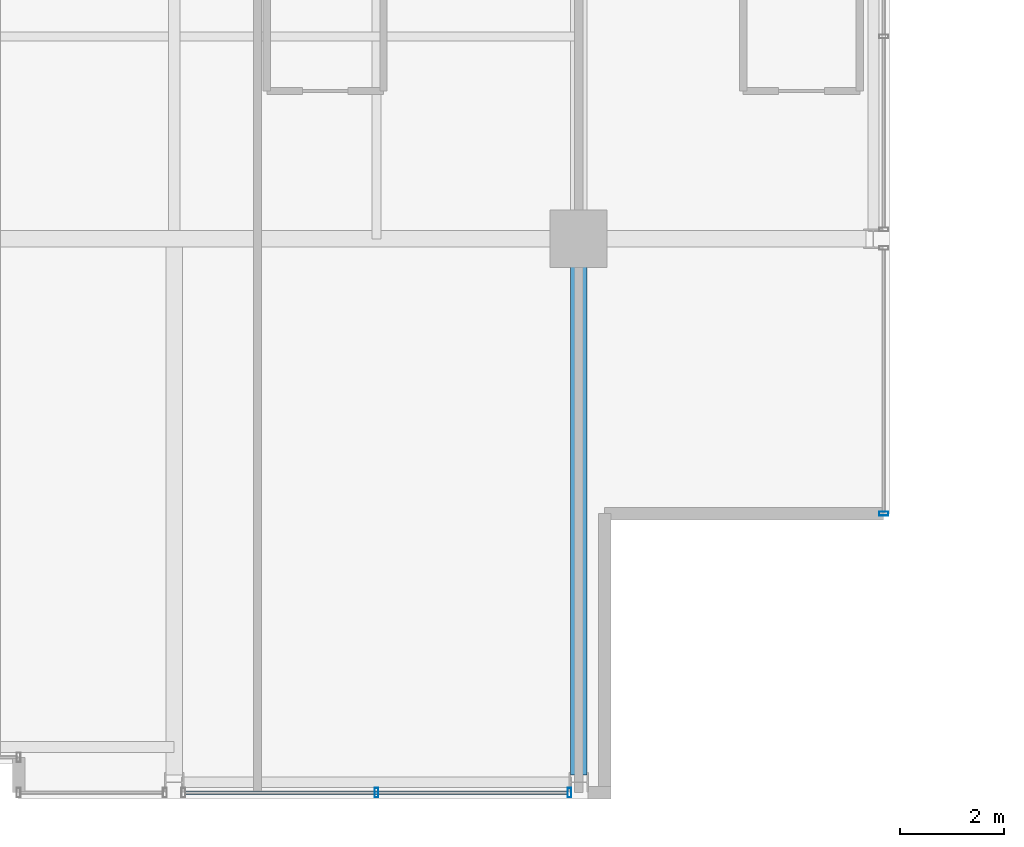
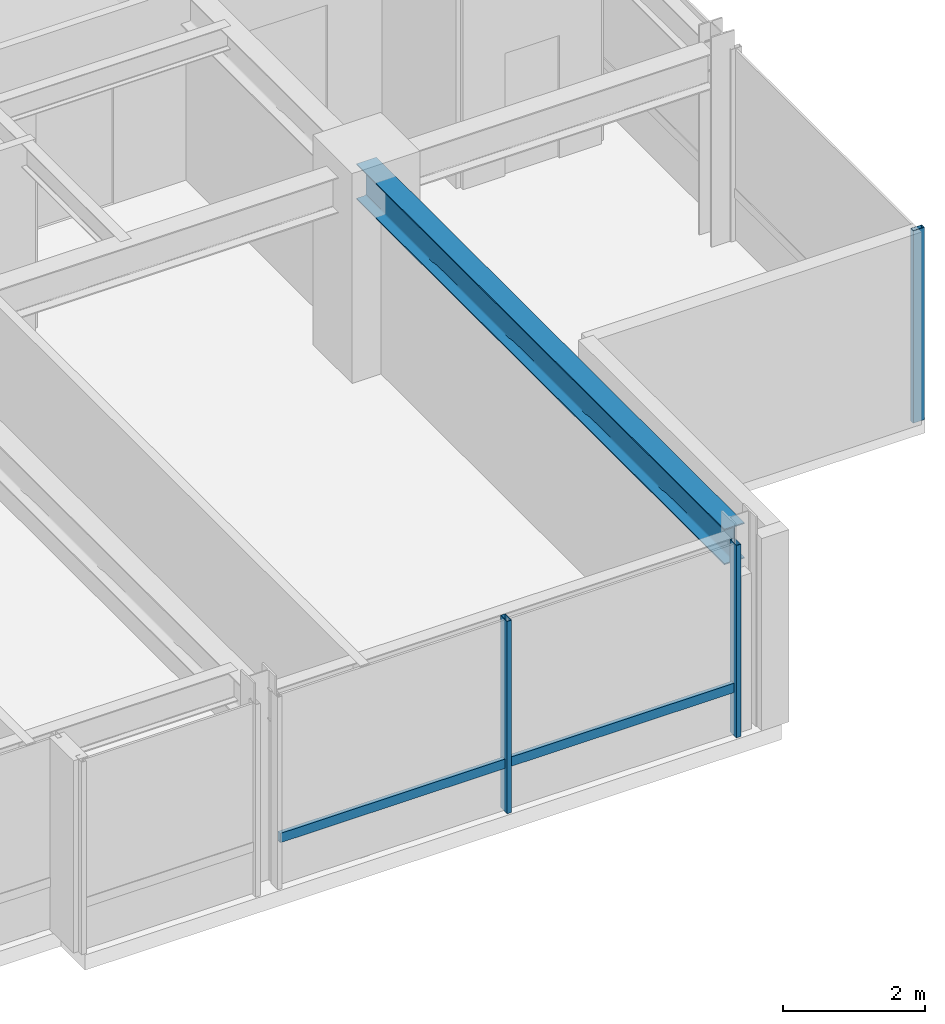
# One storey, part 14 of 34: 4 members, 1 beam, 2 elements without a shape of their own.
"""IFC4 building model written with IfcOpenShell, lengths in metres."""

from ifc_helpers import new_model, si_unit, direction, frame, origin, origin_2d, place, context, subcontext, project, spatial, hollow_rectangle, i_section, extrude, material, layer, layer_set, material_profile, profile_set, type_object, element, aggregate, save


model = new_model("IFC4")

# Units and contexts
model_context = context("Model", 3, precision=1e-05, world=origin(), true_north=direction((0.0, 1.0)))
body_context = subcontext(model_context, "Body", "Model", "MODEL_VIEW")
ifc_project = project(units=[si_unit("LENGTHUNIT", "METRE"), si_unit("AREAUNIT", "SQUARE_METRE"), si_unit("VOLUMEUNIT", "CUBIC_METRE"), si_unit("PLANEANGLEUNIT", "RADIAN"), si_unit("MASSUNIT", "GRAM", prefix="KILO")], contexts=[model_context])

# Site, building, storey
site_placement = place(None, origin())
site = spatial("IfcSite", under=ifc_project, at=site_placement, CompositionType="ELEMENT")
building_placement = place(site_placement, origin())
building = spatial("IfcBuilding", under=site, at=building_placement, Name="Drelvath Grand Hotel", CompositionType="ELEMENT")
storey_placement = place(building_placement, frame((0.0, 0.0, 251.89990234375)))
storey = spatial("IfcBuildingStorey", under=building, at=storey_placement, Name="L66", CompositionType="ELEMENT", Elevation=251.89990234375)

# Curtain wall, member
ifc_material_1 = material(Name="Platinum-Mist Anodised Aluminium Frame", Category="aluminium")
ifc_layer = layer(ifc_material_1, 0.199951171875)
ifc_layer_set = layer_set([ifc_layer], Name="Platinum-Mist Anodised Aluminium Frame")
curtain_wall_type = type_object("IfcCurtainWallType", Name="Stick Curtain Wall CW-05 Platinum Mist High-Rise", PredefinedType="NOTDEFINED", material=ifc_layer_set)
curtain_wall_1_placement = place(storey_placement, origin())
curtain_wall_1 = element("IfcCurtainWall", 1, at=curtain_wall_1_placement, inside=storey, type_object=curtain_wall_type, Name="L66 CW-05 Curtain Wall CW05-L66-SE2", PredefinedType="NOTDEFINED")
ifc_material_profile_1 = material_profile(ifc_material_1, hollow_rectangle(XDim=0.06494140625, YDim=0.159912109375, WallThickness=0.00390625, at=origin_2d()), Name="HSS160X65X4")
ifc_profile_set_1 = profile_set([ifc_material_profile_1], Name="Platinum-Mist Anodised Aluminium Frame")
member_type_1 = type_object("IfcMemberType", Name="Curtain Wall Horizontal Transom CW-05 HSS160X65X4", PredefinedType="USERDEFINED", material=ifc_profile_set_1)
member_1_placement = place(storey_placement, frame((15.981689453125, 0.1201171875, 0.8251953125), z_axis=(-1.0, 0.0, 0.0), x_axis=(0.0, -1.0, 0.0)))
member_1 = element("IfcMember", 2, at=member_1_placement, type_object=member_type_1, Name="CW05-L66-SE2 Sill Transom", ObjectType="TRANSOM", PredefinedType="USERDEFINED", context=body_context, shape_type="SweptSolid", body=[
    extrude(hollow_rectangle(XDim=0.06494140625, YDim=0.159912109375, WallThickness=0.00390625, at=origin_2d()), origin(), (0.0, 0.0, 1.0), 7.363525390625),
])

curtain_wall_2_placement = place(storey_placement, origin())
curtain_wall_2 = element("IfcCurtainWall", 3, at=curtain_wall_2_placement, inside=storey, type_object=curtain_wall_type, Name="L66 CW-05 Curtain Wall CW05-L66-ES1", PredefinedType="NOTDEFINED")
ifc_material_profile_2 = material_profile(ifc_material_1, hollow_rectangle(XDim=0.074951171875, YDim=0.179931640625, WallThickness=0.0048828125, at=origin_2d()), Name="HSS180X75X5")
ifc_profile_set_2 = profile_set([ifc_material_profile_2], Name="Platinum-Mist Anodised Aluminium Frame")
member_type_2 = type_object("IfcMemberType", Name="Curtain Wall Vertical Mullion CW-05 HSS180X75X5", PredefinedType="MULLION", material=ifc_profile_set_2)
member_2_placement = place(storey_placement, frame((22.080078125, 5.5, 0.0), z_axis=(0.0, 0.0, 1.0), x_axis=(0.0, 1.0, 0.0)))
member_2 = element("IfcMember", 4, at=member_2_placement, type_object=member_type_2, Name="CW05-L66-ES1 Mullion 2", PredefinedType="MULLION", context=body_context, shape_type="SweptSolid", body=[
    extrude(hollow_rectangle(XDim=0.074951171875, YDim=0.179931640625, WallThickness=0.0048828125, at=origin_2d()), origin(), (0.0, 0.0, 1.0), 3.300048828125),
])
aggregate(curtain_wall_2, [member_2])

# Member
member_3_placement = place(storey_placement, frame((16.021728515625, 0.1201171875, 0.0), z_axis=(0.0, 0.0, 1.0), x_axis=(1.0, 0.0, 0.0)))
member_3 = element("IfcMember", 5, at=member_3_placement, type_object=member_type_2, Name="CW05-L66-SE2 Mullion 1", PredefinedType="MULLION", context=body_context, shape_type="SweptSolid", body=[
    extrude(hollow_rectangle(XDim=0.074951171875, YDim=0.179931640625, WallThickness=0.0048828125, at=origin_2d()), origin(), (0.0, 0.0, 1.0), 3.300048828125),
])

member_4_placement = place(storey_placement, frame((12.300048828125, 0.1201171875, 0.0), z_axis=(0.0, 0.0, 1.0), x_axis=(1.0, 0.0, 0.0)))
member_4 = element("IfcMember", 6, at=member_4_placement, type_object=member_type_2, Name="CW05-L66-SE2 Mullion 2", PredefinedType="MULLION", context=body_context, shape_type="SweptSolid", body=[
    extrude(hollow_rectangle(XDim=0.074951171875, YDim=0.179931640625, WallThickness=0.0048828125, at=origin_2d()), origin(), (0.0, 0.0, 1.0), 3.300048828125),
])

aggregate(curtain_wall_1, [member_3, member_4, member_1])

# Beam
ifc_material_2 = material(Name="Steel ASTM A992 Gr 50", Category="steel")
ifc_material_profile_3 = material_profile(ifc_material_2, i_section(OverallWidth=0.323974609375, OverallDepth=0.611083984375, WebThickness=0.0126953125, FlangeThickness=0.01904296875, FilletRadius=0.02197265625, at=origin_2d()), Name="W24X104")
ifc_profile_set_3 = profile_set([ifc_material_profile_3], Name="Steel ASTM A992 Gr 50")
beam_type = type_object("IfcBeamType", Name="Primary Floor Girder W24X104", PredefinedType="BEAM", material=ifc_profile_set_3)
beam_placement = place(storey_placement, frame((16.199951171875, 0.4599609375, 2.994384765625), z_axis=(0.0, 1.0, 0.0), x_axis=(-1.0, 0.0, 0.0)))
element("IfcBeam", 7, at=beam_placement, inside=storey, type_object=beam_type, Name="L66 South Grid Girder 7", PredefinedType="BEAM", context=body_context, shape_type="SweptSolid", body=[
    extrude(i_section(OverallWidth=0.323974609375, OverallDepth=0.611083984375, WebThickness=0.0126953125, FlangeThickness=0.01904296875, FilletRadius=0.02197265625, at=origin_2d()), origin(), (0.0, 0.0, 1.0), 10.340087890625),
])

save(model, "model.ifc")
